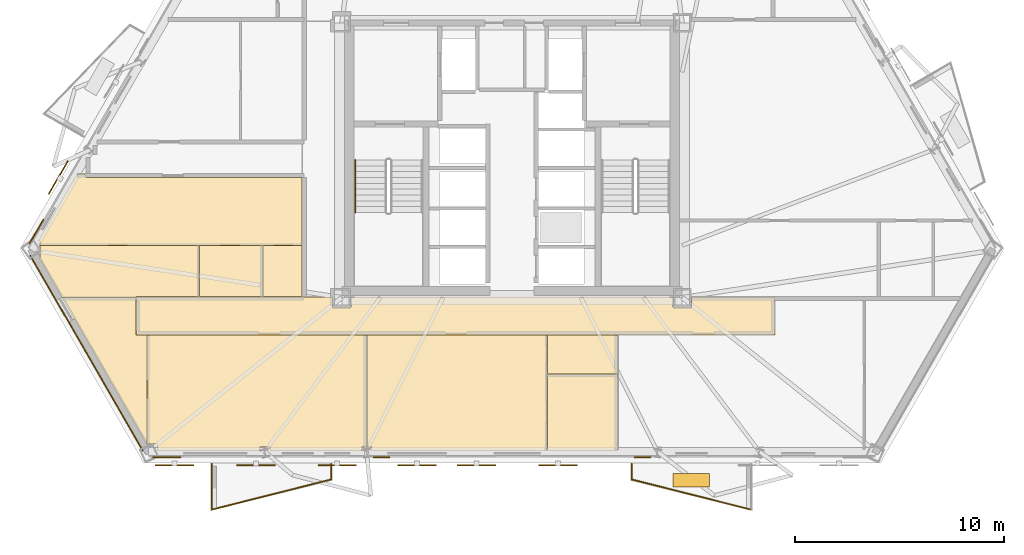
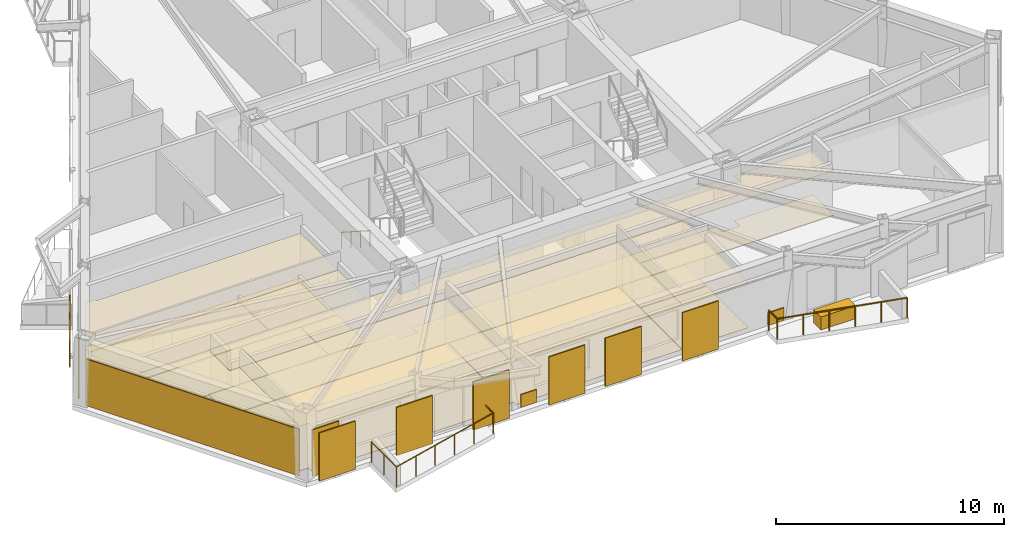
# One storey, part 7 of 11: 26 coverings, 7 shading devices, 6 railings.
"""IFC4 building model written with IfcOpenShell, lengths in metres."""

from ifc_helpers import new_model, si_unit, direction, frame, origin, origin_2d, place, context, subcontext, project, spatial, polyline, rectangle, circle, outline, extrude, material, layer, layer_set, type_object, element, save


model = new_model("IFC4")

# Units and contexts
model_context = context("Model", 3, precision=1e-05, world=origin(), true_north=direction((0.0, 1.0)))
body_context = subcontext(model_context, "Body", "Model", "MODEL_VIEW")
ifc_project = project(units=[si_unit("LENGTHUNIT", "METRE"), si_unit("AREAUNIT", "SQUARE_METRE"), si_unit("VOLUMEUNIT", "CUBIC_METRE"), si_unit("PLANEANGLEUNIT", "RADIAN"), si_unit("MASSUNIT", "GRAM", prefix="KILO")], contexts=[model_context])

# Site, building, storey
site_placement = place(None, origin())
site = spatial("IfcSite", under=ifc_project, at=site_placement, CompositionType="ELEMENT")
building_placement = place(site_placement, origin())
building = spatial("IfcBuilding", under=site, at=building_placement, Name="Oramaril Tower", CompositionType="ELEMENT")
storey_placement = place(building_placement, frame((0.0, 0.0, 112.199951171875)))
storey = spatial("IfcBuildingStorey", under=building, at=storey_placement, Name="L29", CompositionType="ELEMENT", Elevation=112.199951171875)

# Coverings
ifc_material_1 = material(Name="Mineral Fibre Acoustic Ceiling")
ifc_layer_1 = layer(ifc_material_1, 0.02001953125)
ifc_layer_set_1 = layer_set([ifc_layer_1], Name="CVT-CEIL")
covering_type_1 = type_object("IfcCoveringType", Name="CVT-CEIL", PredefinedType="CEILING", material=ifc_layer_set_1)
covering_1_placement = place(storey_placement, frame((0.0, 0.0, 2.400146484375)))
element("IfcCovering", 1, at=covering_1_placement, inside=storey, type_object=covering_type_1, Name="L29 Acoustic Suspended Ceiling 1", PredefinedType="CEILING", context=body_context, shape_type="SweptSolid", body=[
    extrude(outline(polyline([(28.905029296875, 10.554931640625), (29.794921875, 10.554931640625), (29.794921875, 11.030029296875), (45.205078125, 11.030029296875), (45.205078125, 10.554931640625), (46.094970703125, 10.554931640625), (46.094970703125, 11.030029296875), (50.080078125, 11.030029296875), (50.080078125, 9.219970703125), (19.52001953125, 9.219970703125), (19.52001953125, 11.030029296875), (28.905029296875, 11.030029296875), (28.905029296875, 10.554931640625)])), origin(), (0.0, 0.0, 1.0), 0.02001953125),
])
covering_2_placement = place(storey_placement, frame((0.0, 0.0, 2.400146484375)))
element("IfcCovering", 2, at=covering_2_placement, inside=storey, type_object=covering_type_1, Name="L29 Acoustic Suspended Ceiling 6", PredefinedType="CEILING", context=body_context, shape_type="SweptSolid", body=[
    extrude(outline(polyline([(25.907958984375, 3.852294921875), (25.43603515625, 3.852294921875), (25.43603515625, 3.652587890625), (20.494873046875, 3.652587890625), (20.494873046875, 3.999267578125), (20.0341796875, 3.999267578125), (20.0341796875, 9.199951171875), (30.5419921875, 9.199951171875), (30.5419921875, 3.852294921875), (30.311767578125, 3.852294921875), (30.311767578125, 3.652587890625), (25.907958984375, 3.652587890625), (25.907958984375, 3.852294921875)])), origin(), (0.0, 0.0, 1.0), 0.02001953125),
])
covering_3_placement = place(storey_placement, frame((0.0, 0.0, 2.400146484375)))
element("IfcCovering", 3, at=covering_3_placement, inside=storey, type_object=covering_type_1, Name="L29 Acoustic Suspended Ceiling 7", PredefinedType="CEILING", context=body_context, shape_type="SweptSolid", body=[
    extrude(outline(polyline([(19.987060546875, 3.999267578125), (15.949951171875, 10.991943359375), (19.5, 10.991943359375), (19.5, 9.219970703125), (19.5, 9.218017578125), (19.50048828125, 9.216064453125), (19.5009765625, 9.214111328125), (19.50146484375, 9.21240234375), (19.50244140625, 9.210693359375), (19.50341796875, 9.208984375), (19.50439453125, 9.207275390625), (19.505859375, 9.205810546875), (19.50732421875, 9.20458984375), (19.5087890625, 9.203369140625), (19.510498046875, 9.202392578125), (19.51220703125, 9.201416015625), (19.51416015625, 9.200927734375), (19.51611328125, 9.200439453125), (19.51806640625, 9.2001953125), (19.52001953125, 9.199951171875), (20.014404296875, 9.199951171875), (20.014404296875, 3.999267578125), (19.987060546875, 3.999267578125)])), origin(), (0.0, 0.0, 1.0), 0.02001953125),
])
covering_4_placement = place(storey_placement, frame((0.0, 0.0, 2.400146484375)))
element("IfcCovering", 4, at=covering_4_placement, inside=storey, type_object=covering_type_1, Name="L29 Acoustic Suspended Ceiling 8", PredefinedType="CEILING", context=body_context, shape_type="SweptSolid", body=[
    extrude(outline(polyline([(39.181884765625, 3.652587890625), (30.77294921875, 3.652587890625), (30.77294921875, 3.852294921875), (30.56201171875, 3.852294921875), (30.56201171875, 9.199951171875), (39.181884765625, 9.199951171875), (39.181884765625, 3.652587890625)])), origin(), (0.0, 0.0, 1.0), 0.02001953125),
])
covering_5_placement = place(storey_placement, frame((0.0, 0.0, 2.400146484375)))
element("IfcCovering", 5, at=covering_5_placement, inside=storey, type_object=covering_type_1, Name="L29 Acoustic Suspended Ceiling 9", PredefinedType="CEILING", context=body_context, shape_type="SweptSolid", body=[
    extrude(outline(polyline([(42.5419921875, 7.314453125), (42.5419921875, 3.652587890625), (39.201904296875, 3.652587890625), (39.201904296875, 7.314453125), (42.5419921875, 7.314453125)])), origin(), (0.0, 0.0, 1.0), 0.02001953125),
])
covering_6_placement = place(storey_placement, frame((0.0, 0.0, 2.400146484375)))
element("IfcCovering", 6, at=covering_6_placement, inside=storey, type_object=covering_type_1, Name="L29 Acoustic Suspended Ceiling 10", PredefinedType="CEILING", context=body_context, shape_type="SweptSolid", body=[
    extrude(outline(polyline([(42.5419921875, 7.33447265625), (39.201904296875, 7.33447265625), (39.201904296875, 9.199951171875), (42.5419921875, 9.199951171875), (42.5419921875, 7.33447265625)])), origin(), (0.0, 0.0, 1.0), 0.02001953125),
])
covering_7_placement = place(storey_placement, frame((0.0, 0.0, 2.400146484375)))
element("IfcCovering", 7, at=covering_7_placement, inside=storey, type_object=covering_type_1, Name="L29 Acoustic Suspended Ceiling 13", PredefinedType="CEILING", context=body_context, shape_type="SweptSolid", body=[
    extrude(outline(polyline([(14.8994140625, 13.50390625), (14.8994140625, 13.7001953125), (14.813720703125, 13.7001953125), (16.65625, 16.89208984375), (17.10009765625, 16.89208984375), (17.10009765625, 16.77001953125), (17.10009765625, 16.76806640625), (17.100341796875, 16.76611328125), (17.100830078125, 16.76416015625), (17.1015625, 16.76220703125), (17.102294921875, 16.760498046875), (17.103515625, 16.7587890625), (17.1044921875, 16.75732421875), (17.10595703125, 16.755859375), (17.107421875, 16.75439453125), (17.10888671875, 16.75341796875), (17.110595703125, 16.75244140625), (17.1123046875, 16.75146484375), (17.1142578125, 16.7509765625), (17.1162109375, 16.75048828125), (17.117919921875, 16.75), (17.1201171875, 16.75), (27.449951171875, 16.75), (27.449951171875, 13.50390625), (14.8994140625, 13.50390625)])), origin(), (0.0, 0.0, 1.0), 0.02001953125),
])
covering_8_placement = place(storey_placement, frame((0.0, 0.0, 2.400146484375)))
element("IfcCovering", 8, at=covering_8_placement, inside=storey, type_object=covering_type_1, Name="L29 Acoustic Suspended Ceiling 14", PredefinedType="CEILING", context=body_context, shape_type="SweptSolid", body=[
    extrude(outline(polyline([(14.85693359375, 12.885009765625), (14.8994140625, 12.885009765625), (14.8994140625, 13.48388671875), (22.51611328125, 13.48388671875), (22.51611328125, 11.050048828125), (19.52001953125, 11.050048828125), (19.51806640625, 11.0498046875), (19.51611328125, 11.049560546875), (19.51416015625, 11.049072265625), (19.51220703125, 11.048583984375), (19.510498046875, 11.047607421875), (19.5087890625, 11.046630859375), (19.50732421875, 11.04541015625), (19.505859375, 11.044189453125), (19.50439453125, 11.042724609375), (19.50341796875, 11.041015625), (19.50244140625, 11.039306640625), (19.50146484375, 11.03759765625), (19.5009765625, 11.035888671875), (19.50048828125, 11.033935546875), (19.5, 11.031982421875), (19.5, 11.030029296875), (19.5, 11.011962890625), (15.949951171875, 11.011962890625), (15.947998046875, 11.011962890625), (15.946044921875, 11.01171875), (15.944091796875, 11.010986328125), (15.942138671875, 11.010498046875), (15.9404296875, 11.009521484375), (15.93994140625, 11.00927734375), (14.85693359375, 12.885009765625)])), origin(), (0.0, 0.0, 1.0), 0.02001953125),
])
covering_9_placement = place(storey_placement, frame((0.0, 0.0, 2.400146484375)))
element("IfcCovering", 9, at=covering_9_placement, inside=storey, type_object=covering_type_1, Name="L29 Acoustic Suspended Ceiling 15", PredefinedType="CEILING", context=body_context, shape_type="SweptSolid", body=[
    extrude(outline(polyline([(25.56591796875, 11.050048828125), (22.535888671875, 11.050048828125), (22.535888671875, 13.48388671875), (25.56591796875, 13.48388671875), (25.56591796875, 11.050048828125)])), origin(), (0.0, 0.0, 1.0), 0.02001953125),
])
covering_10_placement = place(storey_placement, frame((0.0, 0.0, 2.400146484375)))
element("IfcCovering", 10, at=covering_10_placement, inside=storey, type_object=covering_type_1, Name="L29 Acoustic Suspended Ceiling 16", PredefinedType="CEILING", context=body_context, shape_type="SweptSolid", body=[
    extrude(outline(polyline([(25.5859375, 13.48388671875), (27.449951171875, 13.48388671875), (27.449951171875, 11.050048828125), (25.5859375, 11.050048828125), (25.5859375, 13.48388671875)])), origin(), (0.0, 0.0, 1.0), 0.02001953125),
])
ifc_material_2 = material(Name="Warm Cream Limestone", Category="masonry")
ifc_layer_2 = layer(ifc_material_2, 0.050048828125)
ifc_layer_set_2 = layer_set([ifc_layer_2], Name="CVT-CLD")
covering_type_2 = type_object("IfcCoveringType", Name="CVT-CLD", PredefinedType="CLADDING", material=ifc_layer_set_2)
covering_11_placement = place(storey_placement, frame((17.1328125, 8.341064453125, 0.0400390625), z_axis=(0.0, 0.0, 1.0), x_axis=(0.4999984885, -0.866026276448, 0.0)))
element("IfcCovering", 11, at=covering_11_placement, inside=storey, type_object=covering_type_2, Name="L29 Warm Cream Limestone Cladding", PredefinedType="CLADDING", context=body_context, shape_type="SweptSolid", body=[
    extrude(rectangle(XDim=10.79931640625, YDim=0.050048828125, at=origin_2d()), origin(), (0.0, 0.0, 1.0), 2.498046875),
])
covering_12_placement = place(storey_placement, frame((20.974853515625, 3.351806640625, 0.0400390625), z_axis=(0.0, 0.0, 1.0), x_axis=(1.0, 0.0, 0.0)))
element("IfcCovering", 12, at=covering_12_placement, inside=storey, type_object=covering_type_2, Name="L29 Warm Cream Limestone Cladding", PredefinedType="CLADDING", context=body_context, shape_type="SweptSolid", body=[
    extrude(rectangle(XDim=1.35009765625, YDim=0.050048828125, at=origin_2d()), origin(), (0.0, 0.0, 1.0), 2.498046875),
])
for number, where, z_axis, x_axis, name in (
    (13, (31.2451171875, 3.351806640625, 0.0400390625), (0.0, 0.0, 1.0), (1.0, 0.0, 0.0), "L29 Warm Cream Limestone Spandrel Cladding"),
    (14, (43.7548828125, 3.351806640625, 0.0400390625), (0.0, 0.0, 1.0), (1.0, 0.0, 0.0), "L29 Warm Cream Limestone Spandrel Cladding"),
):
    element("IfcCovering", number, at=place(storey_placement, frame(where, z_axis=z_axis, x_axis=x_axis)), inside=storey, type_object=covering_type_2, Name=name, PredefinedType="CLADDING", context=body_context, shape_type="SweptSolid", body=[
        extrude(rectangle(XDim=0.800048828125, YDim=0.050048828125, at=origin_2d()), origin(), (0.0, 0.0, 1.0), 0.679931640625),
    ])
covering_13_placement = place(storey_placement, frame((14.733154296875, 14.162841796875, 0.0400390625), z_axis=(0.0, 0.0, 1.0), x_axis=(-0.5, -0.866025403784, 0.0)))
element("IfcCovering", 15, at=covering_13_placement, inside=storey, type_object=covering_type_2, Name="L29 Warm Cream Limestone Cladding", PredefinedType="CLADDING", context=body_context, shape_type="SweptSolid", body=[
    extrude(rectangle(XDim=1.35009765625, YDim=0.050048828125, at=origin_2d()), origin(), (0.0, 0.0, 1.0), 2.498046875),
])
covering_14_placement = place(storey_placement, frame((46.0908203125, 2.248291015625, 0.0), z_axis=(0.0, 0.0, 1.0), x_axis=(1.0, 0.0, 0.0)))
element("IfcCovering", 16, at=covering_14_placement, inside=storey, type_object=covering_type_2, Name="L29 Structural Tree Planter Box L29-BAL-S2", PredefinedType="CLADDING", context=body_context, shape_type="SweptSolid", body=[
    extrude(rectangle(XDim=1.75, YDim=0.64990234375, at=origin_2d()), origin(), (0.0, 0.0, 1.0), 0.699951171875),
])
ifc_material_3 = material(Name="Honed Quartzite Stone Flooring", Category="masonry")
ifc_layer_3 = layer(ifc_material_3, 0.02490234375)
ifc_layer_set_3 = layer_set([ifc_layer_3], Name="CVT-FLR")
covering_type_3 = type_object("IfcCoveringType", Name="CVT-FLR", PredefinedType="FLOORING", material=ifc_layer_set_3)
covering_15_placement = place(storey_placement, origin())
element("IfcCovering", 17, at=covering_15_placement, inside=storey, type_object=covering_type_3, Name="L29 Honed Stone Floor Finish 1", PredefinedType="FLOORING", context=body_context, shape_type="SweptSolid", body=[
    extrude(outline(polyline([(28.905029296875, 10.554931640625), (29.794921875, 10.554931640625), (29.794921875, 11.030029296875), (45.205078125, 11.030029296875), (45.205078125, 10.554931640625), (46.094970703125, 10.554931640625), (46.094970703125, 11.030029296875), (50.080078125, 11.030029296875), (50.080078125, 9.219970703125), (19.52001953125, 9.219970703125), (19.52001953125, 11.030029296875), (28.905029296875, 11.030029296875), (28.905029296875, 10.554931640625)])), origin(), (0.0, 0.0, 1.0), 0.025146484375),
])
covering_16_placement = place(storey_placement, origin())
element("IfcCovering", 18, at=covering_16_placement, inside=storey, type_object=covering_type_3, Name="L29 Honed Stone Floor Finish 6", PredefinedType="FLOORING", context=body_context, shape_type="SweptSolid", body=[
    extrude(outline(polyline([(25.907958984375, 3.852294921875), (25.43603515625, 3.852294921875), (25.43603515625, 3.652587890625), (20.494873046875, 3.652587890625), (20.494873046875, 3.999267578125), (20.0341796875, 3.999267578125), (20.0341796875, 9.199951171875), (30.5419921875, 9.199951171875), (30.5419921875, 3.852294921875), (30.311767578125, 3.852294921875), (30.311767578125, 3.652587890625), (25.907958984375, 3.652587890625), (25.907958984375, 3.852294921875)])), origin(), (0.0, 0.0, 1.0), 0.025146484375),
])
covering_17_placement = place(storey_placement, origin())
element("IfcCovering", 19, at=covering_17_placement, inside=storey, type_object=covering_type_3, Name="L29 Honed Stone Floor Finish 7", PredefinedType="FLOORING", context=body_context, shape_type="SweptSolid", body=[
    extrude(outline(polyline([(19.987060546875, 3.999267578125), (15.949951171875, 10.991943359375), (19.5, 10.991943359375), (19.5, 9.219970703125), (19.5, 9.218017578125), (19.50048828125, 9.216064453125), (19.5009765625, 9.214111328125), (19.50146484375, 9.21240234375), (19.50244140625, 9.210693359375), (19.50341796875, 9.208984375), (19.50439453125, 9.207275390625), (19.505859375, 9.205810546875), (19.50732421875, 9.20458984375), (19.5087890625, 9.203369140625), (19.510498046875, 9.202392578125), (19.51220703125, 9.201416015625), (19.51416015625, 9.200927734375), (19.51611328125, 9.200439453125), (19.51806640625, 9.2001953125), (19.52001953125, 9.199951171875), (20.014404296875, 9.199951171875), (20.014404296875, 3.999267578125), (19.987060546875, 3.999267578125)])), origin(), (0.0, 0.0, 1.0), 0.025146484375),
])
covering_18_placement = place(storey_placement, origin())
element("IfcCovering", 20, at=covering_18_placement, inside=storey, type_object=covering_type_3, Name="L29 Honed Stone Floor Finish 8", PredefinedType="FLOORING", context=body_context, shape_type="SweptSolid", body=[
    extrude(outline(polyline([(39.181884765625, 3.652587890625), (30.77294921875, 3.652587890625), (30.77294921875, 3.852294921875), (30.56201171875, 3.852294921875), (30.56201171875, 9.199951171875), (39.181884765625, 9.199951171875), (39.181884765625, 3.652587890625)])), origin(), (0.0, 0.0, 1.0), 0.025146484375),
])
covering_19_placement = place(storey_placement, origin())
element("IfcCovering", 21, at=covering_19_placement, inside=storey, type_object=covering_type_3, Name="L29 Honed Stone Floor Finish 9", PredefinedType="FLOORING", context=body_context, shape_type="SweptSolid", body=[
    extrude(outline(polyline([(42.5419921875, 7.314453125), (42.5419921875, 3.652587890625), (39.201904296875, 3.652587890625), (39.201904296875, 7.314453125), (42.5419921875, 7.314453125)])), origin(), (0.0, 0.0, 1.0), 0.025146484375),
])
covering_20_placement = place(storey_placement, origin())
element("IfcCovering", 22, at=covering_20_placement, inside=storey, type_object=covering_type_3, Name="L29 Honed Stone Floor Finish 10", PredefinedType="FLOORING", context=body_context, shape_type="SweptSolid", body=[
    extrude(outline(polyline([(42.5419921875, 7.33447265625), (39.201904296875, 7.33447265625), (39.201904296875, 9.199951171875), (42.5419921875, 9.199951171875), (42.5419921875, 7.33447265625)])), origin(), (0.0, 0.0, 1.0), 0.025146484375),
])
covering_21_placement = place(storey_placement, origin())
element("IfcCovering", 23, at=covering_21_placement, inside=storey, type_object=covering_type_3, Name="L29 Honed Stone Floor Finish 13", PredefinedType="FLOORING", context=body_context, shape_type="SweptSolid", body=[
    extrude(outline(polyline([(14.8994140625, 13.50390625), (14.8994140625, 13.7001953125), (14.813720703125, 13.7001953125), (16.65625, 16.89208984375), (17.10009765625, 16.89208984375), (17.10009765625, 16.77001953125), (17.10009765625, 16.76806640625), (17.100341796875, 16.76611328125), (17.100830078125, 16.76416015625), (17.1015625, 16.76220703125), (17.102294921875, 16.760498046875), (17.103515625, 16.7587890625), (17.1044921875, 16.75732421875), (17.10595703125, 16.755859375), (17.107421875, 16.75439453125), (17.10888671875, 16.75341796875), (17.110595703125, 16.75244140625), (17.1123046875, 16.75146484375), (17.1142578125, 16.7509765625), (17.1162109375, 16.75048828125), (17.117919921875, 16.75), (17.1201171875, 16.75), (27.449951171875, 16.75), (27.449951171875, 13.50390625), (14.8994140625, 13.50390625)])), origin(), (0.0, 0.0, 1.0), 0.025146484375),
])
covering_22_placement = place(storey_placement, origin())
element("IfcCovering", 24, at=covering_22_placement, inside=storey, type_object=covering_type_3, Name="L29 Honed Stone Floor Finish 14", PredefinedType="FLOORING", context=body_context, shape_type="SweptSolid", body=[
    extrude(outline(polyline([(14.85693359375, 12.885009765625), (14.8994140625, 12.885009765625), (14.8994140625, 13.48388671875), (22.51611328125, 13.48388671875), (22.51611328125, 11.050048828125), (19.52001953125, 11.050048828125), (19.51806640625, 11.0498046875), (19.51611328125, 11.049560546875), (19.51416015625, 11.049072265625), (19.51220703125, 11.048583984375), (19.510498046875, 11.047607421875), (19.5087890625, 11.046630859375), (19.50732421875, 11.04541015625), (19.505859375, 11.044189453125), (19.50439453125, 11.042724609375), (19.50341796875, 11.041015625), (19.50244140625, 11.039306640625), (19.50146484375, 11.03759765625), (19.5009765625, 11.035888671875), (19.50048828125, 11.033935546875), (19.5, 11.031982421875), (19.5, 11.030029296875), (19.5, 11.011962890625), (15.949951171875, 11.011962890625), (15.947998046875, 11.011962890625), (15.946044921875, 11.01171875), (15.944091796875, 11.010986328125), (15.942138671875, 11.010498046875), (15.9404296875, 11.009521484375), (15.93994140625, 11.00927734375), (14.85693359375, 12.885009765625)])), origin(), (0.0, 0.0, 1.0), 0.025146484375),
])
covering_23_placement = place(storey_placement, origin())
element("IfcCovering", 25, at=covering_23_placement, inside=storey, type_object=covering_type_3, Name="L29 Honed Stone Floor Finish 15", PredefinedType="FLOORING", context=body_context, shape_type="SweptSolid", body=[
    extrude(outline(polyline([(25.56591796875, 11.050048828125), (22.535888671875, 11.050048828125), (22.535888671875, 13.48388671875), (25.56591796875, 13.48388671875), (25.56591796875, 11.050048828125)])), origin(), (0.0, 0.0, 1.0), 0.025146484375),
])
covering_24_placement = place(storey_placement, origin())
element("IfcCovering", 26, at=covering_24_placement, inside=storey, type_object=covering_type_3, Name="L29 Honed Stone Floor Finish 16", PredefinedType="FLOORING", context=body_context, shape_type="SweptSolid", body=[
    extrude(outline(polyline([(25.5859375, 13.48388671875), (27.449951171875, 13.48388671875), (27.449951171875, 11.050048828125), (25.5859375, 11.050048828125), (25.5859375, 13.48388671875)])), origin(), (0.0, 0.0, 1.0), 0.025146484375),
])

# Railings
ifc_material_4 = material(Name="Stainless Steel 316L", Category="steel")
railing_type_1 = type_object("IfcRailingType", Name="RLT-GRD", PredefinedType="GUARDRAIL", material=ifc_material_4)
railing_1_placement = place(storey_placement, frame((28.849365234375, 3.03662109375, 0.0)))
element("IfcRailing", 27, at=railing_1_placement, inside=storey, type_object=railing_type_1, Name="L29 Balcony Guardrail L29-BAL-S1.1", PredefinedType="GUARDRAIL", context=body_context, shape_type="SweptSolid", body=[
    extrude(circle(Radius=0.02392578125, at=origin_2d()), frame((0.0, 0.0, 1.076171875), z_axis=(0.0, -1.0, 0.0), x_axis=(1.0, 0.0, 0.0)), (0.0, 0.0, 1.0), 0.741943359375),
    extrude(circle(Radius=0.02099609375, at=origin_2d()), origin(), (0.0, 0.0, 1.0), 1.052001953125),
    extrude(circle(Radius=0.02099609375, at=origin_2d()), frame((0.0, -0.741943359375, 0.0)), (0.0, 0.0, 1.0), 1.052001953125),
])
railing_2_placement = place(storey_placement, frame((28.849365234375, 2.294677734375, 0.0)))
element("IfcRailing", 28, at=railing_2_placement, inside=storey, type_object=railing_type_1, Name="L29 Balcony Guardrail L29-BAL-S1.2", PredefinedType="GUARDRAIL", context=body_context, shape_type="SweptSolid", body=[
    extrude(circle(Radius=0.02392578125, at=origin_2d()), frame((0.0, 0.0, 1.076171875), z_axis=(-0.969443611257, -0.245314256807, 0.0), x_axis=(0.245314256807, -0.969443611257, 0.0)), (0.0, 0.0, 1.0), 5.91064453125),
    extrude(circle(Radius=0.02099609375, at=origin_2d()), origin(), (0.0, 0.0, 1.0), 1.052001953125),
    extrude(circle(Radius=0.02099609375, at=origin_2d()), frame((-1.14599609375, -0.2900390625, 0.0)), (0.0, 0.0, 1.0), 1.052001953125),
    extrude(circle(Radius=0.02099609375, at=origin_2d()), frame((-2.2919921875, -0.580078125, 0.0)), (0.0, 0.0, 1.0), 1.052001953125),
    extrude(circle(Radius=0.02099609375, at=origin_2d()), frame((-3.43798828125, -0.869873046875, 0.0)), (0.0, 0.0, 1.0), 1.052001953125),
    extrude(circle(Radius=0.02099609375, at=origin_2d()), frame((-4.583984375, -1.159912109375, 0.0)), (0.0, 0.0, 1.0), 1.052001953125),
    extrude(circle(Radius=0.02099609375, at=origin_2d()), frame((-5.72998046875, -1.449951171875, 0.0)), (0.0, 0.0, 1.0), 1.052001953125),
])
railing_3_placement = place(storey_placement, frame((23.119384765625, 0.8447265625, 0.0)))
element("IfcRailing", 29, at=railing_3_placement, inside=storey, type_object=railing_type_1, Name="L29 Balcony Guardrail L29-BAL-S1.3", PredefinedType="GUARDRAIL", context=body_context, shape_type="SweptSolid", body=[
    extrude(circle(Radius=0.02392578125, at=origin_2d()), frame((0.0, 0.0, 1.076171875), z_axis=(0.0, 1.0, 0.0), x_axis=(-1.0, 0.0, 0.0)), (0.0, 0.0, 1.0), 2.19189453125),
    extrude(circle(Radius=0.02099609375, at=origin_2d()), origin(), (0.0, 0.0, 1.0), 1.052001953125),
    extrude(circle(Radius=0.02099609375, at=origin_2d()), frame((0.0, 1.095947265625, 0.0)), (0.0, 0.0, 1.0), 1.052001953125),
    extrude(circle(Radius=0.02099609375, at=origin_2d()), frame((0.0, 2.19189453125, 0.0)), (0.0, 0.0, 1.0), 1.052001953125),
])
railing_4_placement = place(storey_placement, frame((48.955810546875, 0.8447265625, 0.0)))
element("IfcRailing", 30, at=railing_4_placement, inside=storey, type_object=railing_type_1, Name="L29 Balcony Guardrail L29-BAL-S2.2", PredefinedType="GUARDRAIL", context=body_context, shape_type="SweptSolid", body=[
    extrude(circle(Radius=0.02392578125, at=origin_2d()), frame((0.0, 0.0, 1.076171875), z_axis=(-0.969446096844, 0.245304433946, 0.0), x_axis=(-0.245304433946, -0.969446096844, 0.0)), (0.0, 0.0, 1.0), 5.910888671875),
    extrude(circle(Radius=0.02099609375, at=origin_2d()), origin(), (0.0, 0.0, 1.0), 1.052001953125),
    extrude(circle(Radius=0.02099609375, at=origin_2d()), frame((-1.14599609375, 0.2900390625, 0.0)), (0.0, 0.0, 1.0), 1.052001953125),
    extrude(circle(Radius=0.02099609375, at=origin_2d()), frame((-2.2919921875, 0.580078125, 0.0)), (0.0, 0.0, 1.0), 1.052001953125),
    extrude(circle(Radius=0.02099609375, at=origin_2d()), frame((-3.438232421875, 0.869873046875, 0.0)), (0.0, 0.0, 1.0), 1.052001953125),
    extrude(circle(Radius=0.02099609375, at=origin_2d()), frame((-4.584228515625, 1.159912109375, 0.0)), (0.0, 0.0, 1.0), 1.052001953125),
    extrude(circle(Radius=0.02099609375, at=origin_2d()), frame((-5.730224609375, 1.449951171875, 0.0)), (0.0, 0.0, 1.0), 1.052001953125),
])
railing_5_placement = place(storey_placement, frame((43.2255859375, 2.294677734375, 0.0)))
element("IfcRailing", 31, at=railing_5_placement, inside=storey, type_object=railing_type_1, Name="L29 Balcony Guardrail L29-BAL-S2.3", PredefinedType="GUARDRAIL", context=body_context, shape_type="SweptSolid", body=[
    extrude(circle(Radius=0.02392578125, at=origin_2d()), frame((0.0, 0.0, 1.076171875), z_axis=(0.0, 1.0, 0.0), x_axis=(-1.0, 0.0, 0.0)), (0.0, 0.0, 1.0), 0.741943359375),
    extrude(circle(Radius=0.02099609375, at=origin_2d()), origin(), (0.0, 0.0, 1.0), 1.052001953125),
    extrude(circle(Radius=0.02099609375, at=origin_2d()), frame((0.0, 0.741943359375, 0.0)), (0.0, 0.0, 1.0), 1.052001953125),
])
ifc_material_5 = material(Name="Stainless Steel 316L", Category="steel")
railing_type_2 = type_object("IfcRailingType", Name="RLT-HND", PredefinedType="HANDRAIL", material=ifc_material_5)
railing_6_placement = place(storey_placement, frame((30.0, 17.590087890625, 0.179931640625)))
element("IfcRailing", 32, at=railing_6_placement, inside=storey, type_object=railing_type_2, Name="L29 ST-1 stair handrail 1", PredefinedType="HANDRAIL", context=body_context, shape_type="SweptSolid", body=[
    extrude(circle(Radius=0.02392578125, at=origin_2d()), frame((0.0, 0.0, 0.8759765625), z_axis=(0.0, -0.841162588446, 0.540782303519), x_axis=(1.0, 0.0, 0.0)), (0.0, 0.0, 1.0), 2.995849609375),
    extrude(circle(Radius=0.02099609375, at=origin_2d()), origin(), (0.0, 0.0, 1.0), 0.851806640625),
    extrude(circle(Radius=0.02099609375, at=origin_2d()), frame((0.0, -0.840087890625, 0.5400390625)), (0.0, 0.0, 1.0), 0.851806640625),
    extrude(circle(Radius=0.02099609375, at=origin_2d()), frame((0.0, -1.679931640625, 1.080078125)), (0.0, 0.0, 1.0), 0.851806640625),
    extrude(circle(Radius=0.02099609375, at=origin_2d()), frame((0.0, -2.52001953125, 1.6201171875)), (0.0, 0.0, 1.0), 0.851806640625),
])

# Shading devices
for number, where, z_axis, x_axis, name in (
    (33, (21.34423828125, 2.964599609375, -0.02001953125), (0.0, 0.0, 1.0), (1.0, 0.0, 0.0), "L29 Perforated Ceramic Solar Screen"),
    (34, (25.244140625, 2.964599609375, -0.02001953125), (0.0, 0.0, 1.0), (1.0, 0.0, 0.0), "L29 Perforated Ceramic Solar Screen"),
    (35, (29.1328125, 2.964599609375, -0.02001953125), (0.0, 0.0, 1.0), (1.0, 0.0, 0.0), "L29 Perforated Ceramic Solar Screen"),
    (36, (32.952880859375, 2.964599609375, -0.02001953125), (0.0, 0.0, 1.0), (1.0, 0.0, 0.0), "L29 Perforated Ceramic Solar Screen"),
    (37, (35.80615234375, 2.964599609375, -0.02001953125), (0.0, 0.0, 1.0), (1.0, 0.0, 0.0), "L29 Perforated Ceramic Solar Screen"),
    (38, (39.7060546875, 2.964599609375, -0.02001953125), (0.0, 0.0, 1.0), (1.0, 0.0, 0.0), "L29 Perforated Ceramic Solar Screen"),
    (39, (15.780029296875, 16.750244140625, -0.02001953125), (0.0, 0.0, 1.0), (-0.5, -0.866025403784, 0.0), "L29 Perforated Ceramic Solar Screen"),
):
    element("IfcShadingDevice", number, at=place(storey_placement, frame(where, z_axis=z_axis, x_axis=x_axis)), inside=storey, Name=name, ObjectType="SCREEN", PredefinedType="USERDEFINED", context=body_context, shape_type="SweptSolid", body=[
        extrude(rectangle(XDim=1.8330078125, YDim=0.050048828125, at=origin_2d()), origin(), (0.0, 0.0, 1.0), 2.577880859375),
    ])

save(model, "model.ifc")
